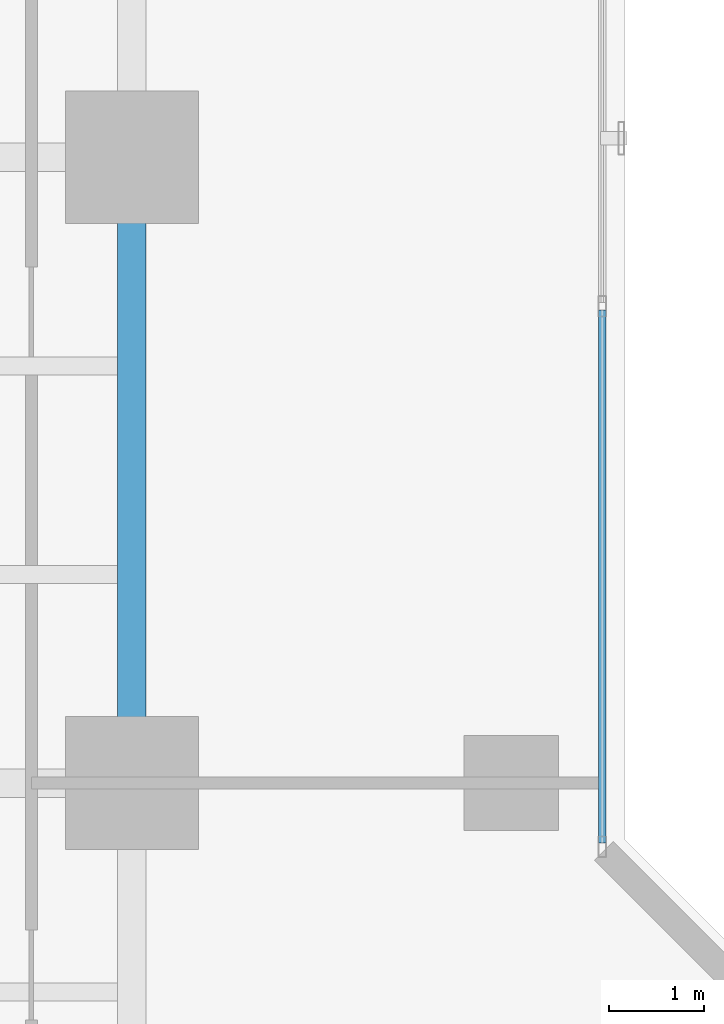
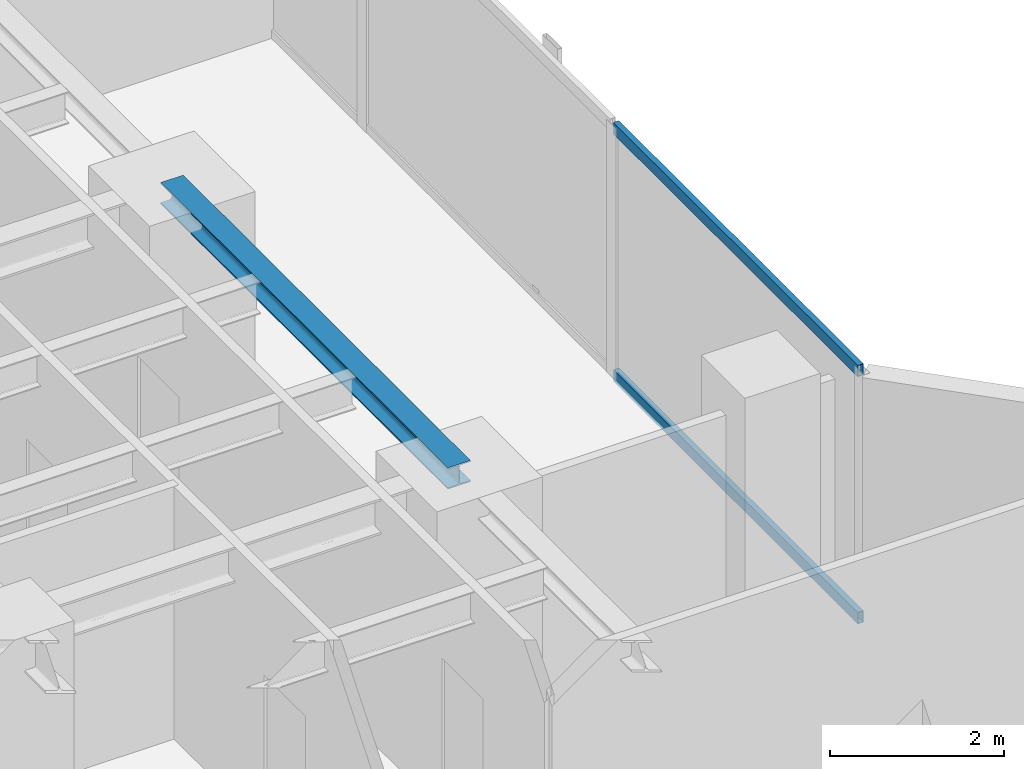
# One storey, part 11 of 26: 2 members, 1 beam, 1 element without a shape of its own.
"""IFC4 building model written with IfcOpenShell, lengths in metres."""

from ifc_helpers import new_model, si_unit, direction, frame, origin, origin_with_axes, origin_2d, place, context, subcontext, project, spatial, hollow_rectangle, i_section, extrude, source, transform, mapped, material, layer, layer_set, material_profile, profile_set, type_object, element, aggregate, save


model = new_model("IFC4")

# Units and contexts
model_context = context("Model", 3, precision=1e-05, world=origin(), true_north=direction((0.0, 1.0)))
body_context = subcontext(model_context, "Body", "Model", "MODEL_VIEW")
ifc_project = project(units=[si_unit("LENGTHUNIT", "METRE"), si_unit("AREAUNIT", "SQUARE_METRE"), si_unit("VOLUMEUNIT", "CUBIC_METRE"), si_unit("PLANEANGLEUNIT", "RADIAN"), si_unit("MASSUNIT", "GRAM", prefix="KILO")], contexts=[model_context])

# Site, building, storey
site_placement = place(None, origin())
site = spatial("IfcSite", under=ifc_project, at=site_placement, CompositionType="ELEMENT")
building_placement = place(site_placement, origin())
building = spatial("IfcBuilding", under=site, at=building_placement, Name="Kolvaren Waterfront Exchange", CompositionType="ELEMENT")
storey_placement = place(building_placement, frame((0.0, 0.0, 99.300048828125)))
storey = spatial("IfcBuildingStorey", under=building, at=storey_placement, Name="L25", CompositionType="ELEMENT", Elevation=99.300048828125)

# Beam
ifc_material_1 = material(Name="Steel S355", Category="steel")
ifc_material_profile_1 = material_profile(ifc_material_1, i_section(OverallWidth=0.300048828125, OverallDepth=0.300048828125, WebThickness=0.010986328125, FlangeThickness=0.01904296875, FilletRadius=0.027099609375, at=origin_2d()), Name="HEB300")
ifc_profile_set_1 = profile_set([ifc_material_profile_1], Name="Steel S355")
beam_type = type_object("IfcBeamType", Name="STR-BM-HEB300", PredefinedType="SPANDREL", material=ifc_profile_set_1)
beam_placement = place(storey_placement, frame((18.800048828125, 31.199951171875, 3.389892578125), z_axis=(0.0, 1.0, 0.0), x_axis=(-1.0, 0.0, 0.0)))
element("IfcBeam", 1, at=beam_placement, inside=storey, type_object=beam_type, Name="L25 north-arm edge beam 2", PredefinedType="SPANDREL", context=body_context, shape_type="SweptSolid", body=[
    extrude(i_section(OverallWidth=0.300048828125, OverallDepth=0.300048828125, WebThickness=0.010986328125, FlangeThickness=0.01904296875, FilletRadius=0.027099609375, at=origin_2d()), origin(), (0.0, 0.0, 1.0), 6.60009765625),
])

# Curtain wall, members
ifc_material_2 = material(Name="Anodised bronze aluminium 6063-T6", Category="aluminium")
ifc_layer = layer(ifc_material_2, 0.219970703125, Name="Anodised bronze aluminium 6063-T6")
ifc_layer_set = layer_set([ifc_layer], Name="Anodised bronze aluminium 6063-T6")
curtain_wall_type = type_object("IfcCurtainWallType", Name="ARC-CW-SYS1", PredefinedType="USERDEFINED", material=ifc_layer_set)
curtain_wall_placement = place(storey_placement, origin())
curtain_wall = element("IfcCurtainWall", 2, at=curtain_wall_placement, inside=storey, type_object=curtain_wall_type, Name="L25 stick curtain wall CW1 (CW-L25-NE)", ObjectType="STICK CURTAIN WALL", PredefinedType="USERDEFINED")
ifc_material_3 = material(Name="Anodised aluminium 6063-T6", Category="aluminium")
ifc_material_profile_2 = material_profile(ifc_material_3, hollow_rectangle(XDim=0.074951171875, YDim=0.159912109375, WallThickness=0.00439453125, at=origin_2d()), Name="ALU-TRN-160x75x4.5")
ifc_profile_set_2 = profile_set([ifc_material_profile_2], Name="Anodised aluminium 6063-T6")
member_type = type_object("IfcMemberType", Name="ARC-CWT-160", PredefinedType="USERDEFINED", material=ifc_profile_set_2)
shared_shape = source(origin_with_axes(), body_context, "Body", "SweptSolid", [
    extrude(hollow_rectangle(XDim=0.074951171875, YDim=0.159912109375, WallThickness=0.00439453125, at=origin_2d()), origin(), (0.0, 0.0, 1.0), 5.61669921875),
])
member_1_placement = place(storey_placement, frame((23.760009765625, 30.570068359375, 0.037353515625), z_axis=(0.0, 1.0, 0.0), x_axis=(-1.0, 0.0, 0.0)))
member_1 = element("IfcMember", 3, at=member_1_placement, type_object=member_type, Name="CW1 transom 1.1", ObjectType="TRANSOM", PredefinedType="USERDEFINED", context=body_context, shape_type="MappedRepresentation", body=[
    mapped(shared_shape, transform((0.0, 0.0, 0.0), x_axis=(1.0, 0.0, 0.0), y_axis=(0.0, 1.0, 0.0), z_axis=(0.0, 0.0, 1.0), scale=1.0)),
])
member_2_placement = place(storey_placement, frame((23.760009765625, 30.570068359375, 3.50244140625), z_axis=(0.0, 1.0, 0.0), x_axis=(-1.0, 0.0, 0.0)))
member_2 = element("IfcMember", 4, at=member_2_placement, type_object=member_type, Name="CW1 transom 1.2", ObjectType="TRANSOM", PredefinedType="USERDEFINED", context=body_context, shape_type="MappedRepresentation", body=[
    mapped(shared_shape, transform((0.0, 0.0, 0.0), x_axis=(1.0, 0.0, 0.0), y_axis=(0.0, 1.0, 0.0), z_axis=(0.0, 0.0, 1.0), scale=1.0)),
])
aggregate(curtain_wall, [member_1, member_2])

save(model, "model.ifc")
